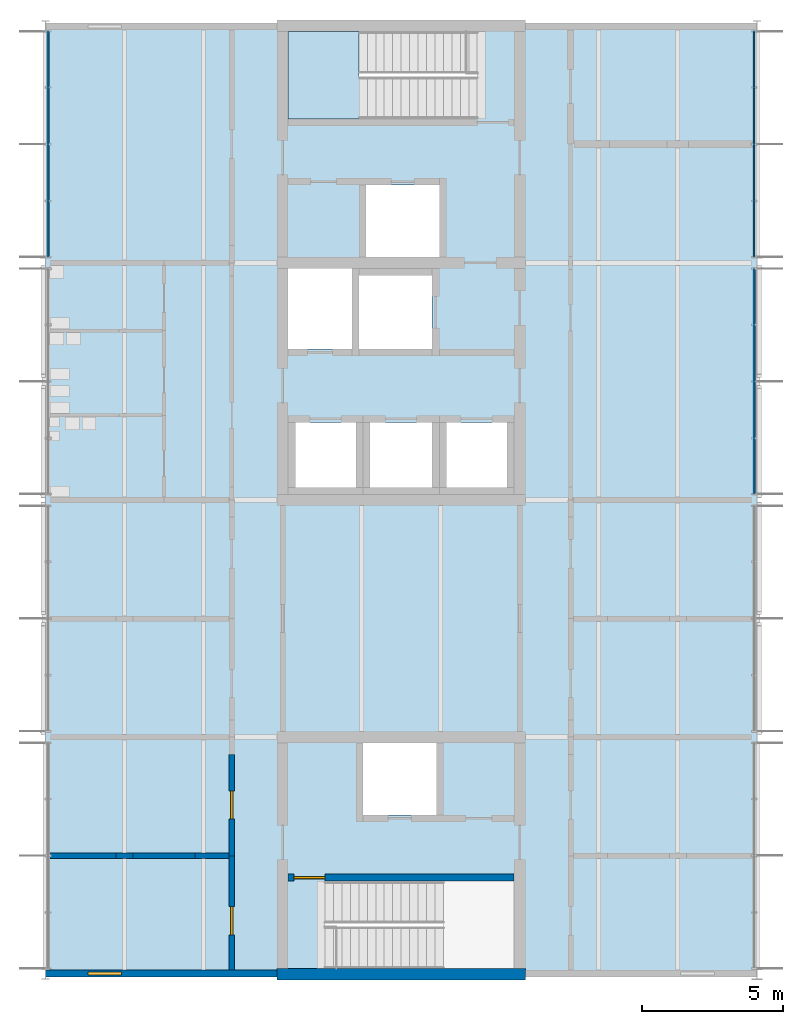
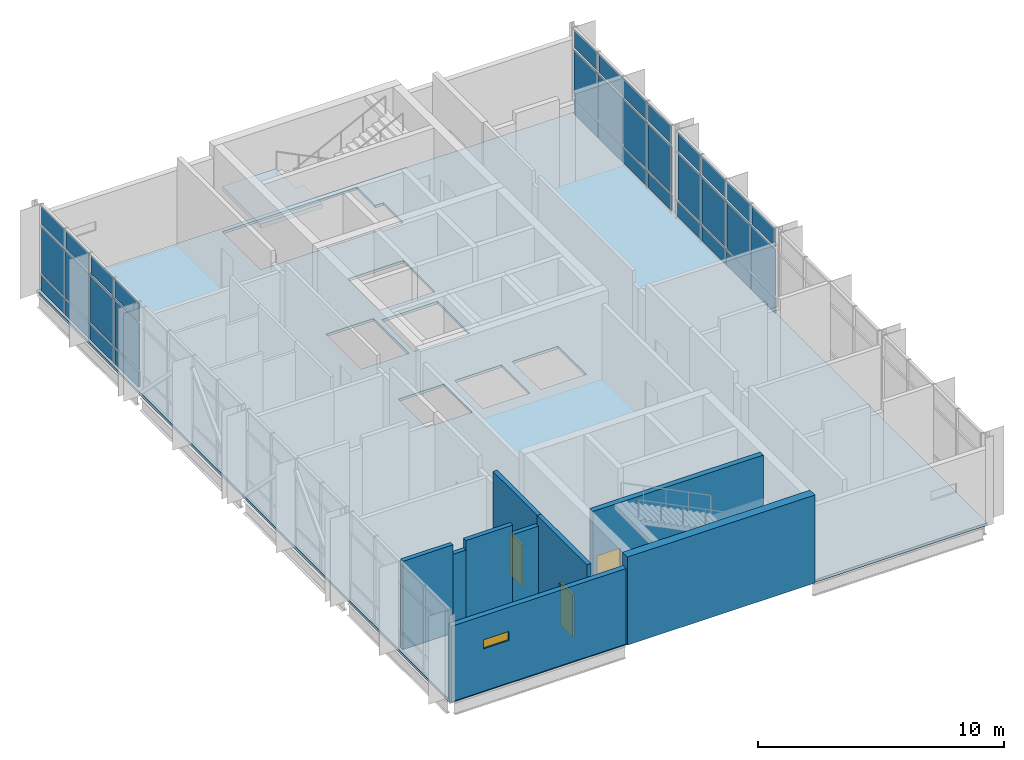
# One storey, part 7 of 15: 36 plates, 9 walls, 3 doors, 2 slabs, 1 window, 4 openings, 4 elements without a shape of their own.
"""IFC4 building model written with IfcOpenShell, lengths in metres."""

import ifcopenshell
import ifcopenshell.guid

model = None  # the IFC model being written
_history = None  # IfcOwnerHistory: only IFC2X3 demands one
_inside = {}  # id of a spatial element -> (the spatial element, [elements in it])
_under = {}  # id of a project, library or spatial element -> (it, [spatial elements below it])
_declared = {}  # id of a project -> (the project, [libraries it declares])
_typed = {}  # id of a type object -> (the type object, [elements of that type])
_made_of = {}  # id of a material, layer set ... -> (it, [elements and type objects made of it])


def new_model(schema):
    """Start an empty IFC model of exactly this schema.

    Asked for "IFC4X3", IfcOpenShell would pick the latest addendum, in which some entities
    have other attributes; the version numbers below select the first issue.
    IFC2X3 requires an IfcOwnerHistory on every rooted entity: one is made here for all.
    """
    global model, _history
    if schema == "IFC4X3":
        model = ifcopenshell.file(schema_version=(4, 3, 0, 0))
    else:
        model = ifcopenshell.file(schema=schema)
    _inside.clear()
    _under.clear()
    _declared.clear()
    _typed.clear()
    _made_of.clear()
    _history = None
    if model.schema == "IFC2X3":
        org = make("IfcOrganization", Name="unknown")
        user = make(
            "IfcPersonAndOrganization",
            ThePerson=make("IfcPerson", FamilyName="unknown"),
            TheOrganization=org,
        )
        app = make(
            "IfcApplication",
            ApplicationDeveloper=org,
            Version="unknown",
            ApplicationFullName="unknown",
            ApplicationIdentifier="unknown",
        )
        _history = make(
            "IfcOwnerHistory",
            OwningUser=user,
            OwningApplication=app,
            ChangeAction="ADDED",
            CreationDate=0,
        )
    return model


def make(cls, **values):
    """One entity of the class cls with the attributes given. An attribute that is None is left unset."""
    return model.create_entity(
        cls, **{name: value for name, value in values.items() if value is not None}
    )


def rooted(cls, **values):
    """An entity with a GlobalId (a new one), such as an element, a storey or a relation."""
    return make(cls, GlobalId=ifcopenshell.guid.new(), OwnerHistory=_history, **values)


def si_unit(unit_type, name, prefix=None):
    """IfcSIUnit, for example si_unit("LENGTHUNIT", "METRE", prefix="MILLI")."""
    return make("IfcSIUnit", UnitType=unit_type, Prefix=prefix, Name=name)


def assignment(units):
    """IfcUnitAssignment: the units of a project."""
    return None if units is None else make("IfcUnitAssignment", Units=units)


def point(xyz):
    """IfcCartesianPoint."""
    return None if xyz is None else make("IfcCartesianPoint", Coordinates=xyz)


def direction(xyz):
    """IfcDirection."""
    return None if xyz is None else make("IfcDirection", DirectionRatios=xyz)


def frame(location, z_axis=None, x_axis=None):
    """IfcAxis2Placement3D, a coordinate frame: its origin and axes. An axis left out is left unset."""
    return make(
        "IfcAxis2Placement3D",
        Location=point(location),
        Axis=direction(z_axis),
        RefDirection=direction(x_axis),
    )


def frame_2d(location, x_axis=None):
    """IfcAxis2Placement2D, a coordinate frame in the plane: its origin and x axis."""
    return make(
        "IfcAxis2Placement2D", Location=point(location), RefDirection=direction(x_axis)
    )


def origin():
    """The frame at (0, 0, 0) with its axes left unset."""
    return frame((0.0, 0.0, 0.0))


def origin_2d():
    """The frame at (0, 0) in the plane with its x axis left unset."""
    return frame_2d((0.0, 0.0))


def place(relative_to, where):
    """IfcLocalPlacement: puts the frame where relative to a parent placement (None: the world)."""
    return make(
        "IfcLocalPlacement", PlacementRelTo=relative_to, RelativePlacement=where
    )


def context(
    kind, dimensions, precision=None, world=None, true_north=None, identifier=None
):
    """IfcGeometricRepresentationContext, for example the 3D "Model" context."""
    return make(
        "IfcGeometricRepresentationContext",
        ContextIdentifier=identifier,
        ContextType=kind,
        CoordinateSpaceDimension=dimensions,
        Precision=precision,
        WorldCoordinateSystem=world,
        TrueNorth=true_north,
    )


def subcontext(parent, identifier, kind, view, scale=None):
    """IfcGeometricRepresentationSubContext, for example "Body" below "Model"."""
    return make(
        "IfcGeometricRepresentationSubContext",
        ContextIdentifier=identifier,
        ContextType=kind,
        ParentContext=parent,
        TargetScale=scale,
        TargetView=view,
    )


def project(units=None, contexts=None):
    """IfcProject with its units and contexts."""
    return rooted(
        "IfcProject",
        Name="project",
        RepresentationContexts=contexts,
        UnitsInContext=assignment(units),
    )


def spatial(cls, under=None, at=None, **own):
    """A site, building, storey or space (cls), placed at a placement, below another one or the project."""
    s = rooted(cls, ObjectPlacement=at, **own)
    if under is not None:
        _under.setdefault(under.id(), (under, []))[1].append(s)
    return s


def polyline(points):
    """IfcPolyline through the points."""
    return make("IfcPolyline", Points=[point(p) for p in points])


def profile(cls, at=None, kind="AREA", **sizes):
    """A parametric profile (cls). Its sizes go by their IFC names, for example OverallWidth=200.0."""
    return make(cls, ProfileType=kind, Position=at, **sizes)


def rectangle(**sizes):
    """IfcRectangleProfileDef."""
    return profile("IfcRectangleProfileDef", **sizes)


def outline(outer, holes=None, kind="AREA"):
    """IfcArbitraryClosedProfileDef: a profile drawn as a closed curve; with holes, ...WithVoids."""
    if holes is None:
        return make("IfcArbitraryClosedProfileDef", ProfileType=kind, OuterCurve=outer)
    return make(
        "IfcArbitraryProfileDefWithVoids",
        ProfileType=kind,
        OuterCurve=outer,
        InnerCurves=holes,
    )


def extrude(swept, where, along, depth):
    """IfcExtrudedAreaSolid: the profile swept, set in the frame where, extruded along a direction by depth."""
    return make(
        "IfcExtrudedAreaSolid",
        SweptArea=swept,
        Position=where,
        ExtrudedDirection=direction(along),
        Depth=depth,
    )


def shape(context_of_items, identifier, shape_type, items):
    """IfcShapeRepresentation: the items that make up one representation, for example the "Body"."""
    return make(
        "IfcShapeRepresentation",
        ContextOfItems=context_of_items,
        RepresentationIdentifier=identifier,
        RepresentationType=shape_type,
        Items=items,
    )


def material(Name=None, Category=None):
    """IfcMaterial."""
    return make("IfcMaterial", Name=Name, Category=Category)


def layer(
    of_material, thickness, ventilated=None, Name=None, Category=None, Priority=None
):
    """IfcMaterialLayer: one layer of a wall or slab, of a material (None: an air gap)."""
    return make(
        "IfcMaterialLayer",
        Material=of_material,
        LayerThickness=thickness,
        IsVentilated=ventilated,
        Name=Name,
        Category=Category,
        Priority=Priority,
    )


def layer_set(layers, Name=None):
    """IfcMaterialLayerSet."""
    return make("IfcMaterialLayerSet", MaterialLayers=layers, LayerSetName=Name)


def made_of(thing, what):
    """Note that an element or type object is made of a material, layer set ...; save() writes the relation."""
    if what is not None:
        _made_of.setdefault(what.id(), (what, []))[1].append(thing)
    return thing


def type_object(cls, material=None, **own):
    """A type object (cls), such as IfcWallType, which elements share."""
    return made_of(rooted(cls, **own), material)


def element(
    cls,
    number,
    at=None,
    inside=None,
    cuts=None,
    type_object=None,
    material=None,
    context=None,
    identifier="Body",
    shape_type=None,
    held_by="IfcProductDefinitionShape",
    body=None,
    shapes=None,
    **own,
):
    """One element of the class cls, such as IfcWall. Its Tag is "e" and its number.

    at: its placement. inside: the storey or other place that contains it. cuts: it is an
    opening in that element (IfcRelVoidsElement). A single representation is given by context,
    identifier, shape_type and body (its items); several are given by shapes. held_by: the class
    of the entity that holds the representations. save() writes the other relations.
    """
    e = rooted(cls, Tag="e%d" % number, ObjectPlacement=at, **own)
    if body is not None:
        shapes = [shape(context, identifier, shape_type, body)]
    if shapes is not None:
        e.Representation = make(held_by, Representations=shapes)
    if inside is not None:
        _inside.setdefault(inside.id(), (inside, []))[1].append(e)
    if cuts is not None:
        rooted(
            "IfcRelVoidsElement", RelatingBuildingElement=cuts, RelatedOpeningElement=e
        )
    if type_object is not None:
        _typed.setdefault(type_object.id(), (type_object, []))[1].append(e)
    return made_of(e, material)


def fill(opening, filler):
    """IfcRelFillsElement: the door or window that sits in an opening."""
    return rooted(
        "IfcRelFillsElement",
        RelatingOpeningElement=opening,
        RelatedBuildingElement=filler,
    )


def aggregate(whole, parts):
    """IfcRelAggregates: a whole, such as a stair, and the parts it consists of."""
    return rooted("IfcRelAggregates", RelatingObject=whole, RelatedObjects=parts)


def save(model, path):
    """Write the relations noted so far, then the file.

    IfcRelAggregates (storeys below a building ...), IfcRelContainedInSpatialStructure (elements
    in a storey), IfcRelDefinesByType, IfcRelAssociatesMaterial and IfcRelDeclares: one each for
    every whole, place, type object, material and project.
    """
    for whole, parts in _under.values():
        aggregate(whole, parts)
    for where, things in _inside.values():
        rooted(
            "IfcRelContainedInSpatialStructure",
            RelatedElements=things,
            RelatingStructure=where,
        )
    for kind, things in _typed.values():
        rooted("IfcRelDefinesByType", RelatedObjects=things, RelatingType=kind)
    for what, things in _made_of.values():
        rooted("IfcRelAssociatesMaterial", RelatedObjects=things, RelatingMaterial=what)
    for by, libraries in _declared.values():
        rooted("IfcRelDeclares", RelatingContext=by, RelatedDefinitions=libraries)
    model.write(path)


model = new_model("IFC4")

# Units and contexts
model_context = context("Model", 3, precision=1e-05, world=origin(), true_north=direction((0.0, 1.0)))
body_context = subcontext(model_context, "Body", "Model", "MODEL_VIEW")
ifc_project = project(units=[si_unit("LENGTHUNIT", "METRE"), si_unit("AREAUNIT", "SQUARE_METRE"), si_unit("VOLUMEUNIT", "CUBIC_METRE"), si_unit("PLANEANGLEUNIT", "RADIAN"), si_unit("MASSUNIT", "GRAM", prefix="KILO")], contexts=[model_context])

# Site, building, storey
site_placement = place(None, origin())
site = spatial("IfcSite", under=ifc_project, at=site_placement, CompositionType="ELEMENT")
building_placement = place(site_placement, origin())
building = spatial("IfcBuilding", under=site, at=building_placement, Name="Hlaing Beacon Police Headquarters", CompositionType="ELEMENT")
storey_placement = place(building_placement, frame((0.0, 0.0, 32.39990234375)))
storey = spatial("IfcBuildingStorey", under=building, at=storey_placement, Name="L07", CompositionType="ELEMENT", Elevation=32.39990234375)

# Curtain wall, plates
ifc_material_1 = material(Name="Aluminium frame with solar control glazing", Category="aluminium")
curtain_wall_type = type_object("IfcCurtainWallType", Name="Unitised curtain wall 8.04 x 4.37", PredefinedType="NOTDEFINED", material=ifc_material_1)
curtain_wall_1_placement = place(storey_placement, origin())
curtain_wall_1 = element("IfcCurtainWall", 1, at=curtain_wall_1_placement, inside=storey, type_object=curtain_wall_type, Name="ENV-CW-L07-E003", PredefinedType="NOTDEFINED")
ifc_material_2 = material(Name="Solar control glazing", Category="glass")
ifc_layer_1 = layer(ifc_material_2, 0.0439453125)
ifc_layer_set_1 = layer_set([ifc_layer_1], Name="Solar control glazing")
plate_type_1 = type_object("IfcPlateType", Name="Clear glazing panel 44", PredefinedType="CURTAIN_PANEL", material=ifc_layer_set_1)
plate_1_placement = place(storey_placement, frame((125.909912109375, 53.594970703125, 0.9501953125), z_axis=(0.0, 0.0, 1.0), x_axis=(0.0, 1.0, 0.0)))
plate_1 = element("IfcPlate", 2, at=plate_1_placement, type_object=plate_type_1, Name="CW-L07-E003 panel 2.2", PredefinedType="CURTAIN_PANEL", context=body_context, shape_type="SweptSolid", body=[
    extrude(rectangle(XDim=1.949951171875, YDim=0.0439453125, at=origin_2d()), origin(), (0.0, 0.0, 1.0), 2.300048828125),
])
plate_2_placement = place(storey_placement, frame((125.909912109375, 57.599853515625, 0.9501953125), z_axis=(0.0, 0.0, 1.0), x_axis=(0.0, 1.0, 0.0)))
plate_2 = element("IfcPlate", 3, at=plate_2_placement, type_object=plate_type_1, Name="CW-L07-E003 panel 4.2", PredefinedType="CURTAIN_PANEL", context=body_context, shape_type="SweptSolid", body=[
    extrude(rectangle(XDim=1.919921875, YDim=0.0439453125, at=origin_2d()), origin(), (0.0, 0.0, 1.0), 2.300048828125),
])

curtain_wall_2_placement = place(storey_placement, origin())
curtain_wall_2 = element("IfcCurtainWall", 4, at=curtain_wall_2_placement, inside=storey, type_object=curtain_wall_type, Name="ENV-CW-L07-E004", PredefinedType="NOTDEFINED")
plate_3_placement = place(storey_placement, frame((125.89990234375, 61.9951171875, 0.9501953125), z_axis=(0.0, 0.0, 1.0), x_axis=(0.0, 1.0, 0.0)))
plate_3 = element("IfcPlate", 5, at=plate_3_placement, type_object=plate_type_1, Name="CW-L07-E004 panel 2.2", PredefinedType="CURTAIN_PANEL", context=body_context, shape_type="SweptSolid", body=[
    extrude(rectangle(XDim=1.949951171875, YDim=0.0439453125, at=origin_2d()), origin(), (0.0, 0.0, 1.0), 2.300048828125),
])
plate_4_placement = place(storey_placement, frame((125.89990234375, 65.999755859375, 0.9501953125), z_axis=(0.0, 0.0, 1.0), x_axis=(0.0, 1.0, 0.0)))
plate_4 = element("IfcPlate", 6, at=plate_4_placement, type_object=plate_type_1, Name="CW-L07-E004 panel 4.2", PredefinedType="CURTAIN_PANEL", context=body_context, shape_type="SweptSolid", body=[
    extrude(rectangle(XDim=1.919921875, YDim=0.0439453125, at=origin_2d()), origin(), (0.0, 0.0, 1.0), 2.300048828125),
])

curtain_wall_3_placement = place(storey_placement, origin())
curtain_wall_3 = element("IfcCurtainWall", 7, at=curtain_wall_3_placement, inside=storey, type_object=curtain_wall_type, Name="ENV-CW-L07-W005", PredefinedType="NOTDEFINED")
plate_5_placement = place(storey_placement, frame((100.89990234375, 64.0048828125, 0.9501953125), z_axis=(0.0, 0.0, 1.0), x_axis=(0.0, -1.0, 0.0)))
plate_5 = element("IfcPlate", 8, at=plate_5_placement, type_object=plate_type_1, Name="CW-L07-W005 panel 2.2", PredefinedType="CURTAIN_PANEL", context=body_context, shape_type="SweptSolid", body=[
    extrude(rectangle(XDim=1.949951171875, YDim=0.0439453125, at=origin_2d()), origin(), (0.0, 0.0, 1.0), 2.300048828125),
])
plate_6_placement = place(storey_placement, frame((100.89990234375, 60.000244140625, 0.9501953125), z_axis=(0.0, 0.0, 1.0), x_axis=(0.0, -1.0, 0.0)))
plate_6 = element("IfcPlate", 9, at=plate_6_placement, type_object=plate_type_1, Name="CW-L07-W005 panel 4.2", PredefinedType="CURTAIN_PANEL", context=body_context, shape_type="SweptSolid", body=[
    extrude(rectangle(XDim=1.919921875, YDim=0.0439453125, at=origin_2d()), origin(), (0.0, 0.0, 1.0), 2.300048828125),
])

# Slab
ifc_material_3 = material(Name="Concrete C40/50", Category="concrete")
ifc_layer_2 = layer(ifc_material_3, 0.1298828125)
ifc_layer_set_2 = layer_set([ifc_layer_2], Name="Concrete C40/50")
slab_type_1 = type_object("IfcSlabType", Name="Composite deck slab 130", PredefinedType="FLOOR", material=ifc_layer_set_2)
slab_1_placement = place(storey_placement, frame((0.0, 0.0, -0.1298828125)))
element("IfcSlab", 10, at=slab_1_placement, inside=storey, type_object=slab_type_1, Name="STR-SLAB-L07-01", PredefinedType="FLOOR", context=body_context, shape_type="SweptSolid", body=[
    extrude(outline(polyline([(100.800048828125, 33.60009765625), (126.0, 33.60009765625), (126.0, 67.199951171875), (100.800048828125, 67.199951171875), (100.800048828125, 33.60009765625)]), holes=[polyline([(109.39990234375, 55.75), (111.64990234375, 55.75), (111.64990234375, 58.60009765625), (109.39990234375, 58.60009765625), (109.39990234375, 55.75)]), polyline([(109.39990234375, 63.89990234375), (116.090087890625, 63.89990234375), (116.090087890625, 65.5), (115.699951171875, 65.5), (115.699951171875, 67.0), (109.39990234375, 67.0), (109.39990234375, 63.89990234375)]), polyline([(109.64990234375, 50.85009765625), (111.800048828125, 50.85009765625), (111.800048828125, 53.14990234375), (109.64990234375, 53.14990234375), (109.64990234375, 50.85009765625)]), polyline([(111.10009765625, 33.800048828125), (117.39990234375, 33.800048828125), (117.39990234375, 36.89990234375), (110.7099609375, 36.89990234375), (110.7099609375, 35.300048828125), (111.10009765625, 35.300048828125), (111.10009765625, 33.800048828125)]), polyline([(111.89990234375, 55.75), (114.5, 55.75), (114.5, 58.35009765625), (111.89990234375, 58.35009765625), (111.89990234375, 55.75)]), polyline([(112.050048828125, 39.25), (114.64990234375, 39.25), (114.64990234375, 41.800048828125), (112.050048828125, 41.800048828125), (112.050048828125, 39.25)]), polyline([(112.14990234375, 59.0), (114.75, 59.0), (114.75, 61.550048828125), (112.14990234375, 61.550048828125), (112.14990234375, 59.0)]), polyline([(112.300048828125, 50.85009765625), (114.5, 50.85009765625), (114.5, 53.14990234375), (112.300048828125, 53.14990234375), (112.300048828125, 50.85009765625)]), polyline([(115.0, 50.85009765625), (117.14990234375, 50.85009765625), (117.14990234375, 53.14990234375), (115.0, 53.14990234375), (115.0, 50.85009765625)])]), origin(), (0.0, 0.0, 1.0), 0.1298828125),
])

# Plate
ifc_material_4 = material(Name="Fritted solar control glazing", Category="glass")
ifc_layer_3 = layer(ifc_material_4, 0.0439453125)
ifc_layer_set_3 = layer_set([ifc_layer_3], Name="Fritted solar control glazing")
plate_type_2 = type_object("IfcPlateType", Name="Fritted glazing panel 44", PredefinedType="CURTAIN_PANEL", material=ifc_layer_set_3)
plate_7_placement = place(storey_placement, frame((125.909912109375, 51.600341796875, 0.9501953125), z_axis=(0.0, 0.0, 1.0), x_axis=(0.0, 1.0, 0.0)))
plate_7 = element("IfcPlate", 11, at=plate_7_placement, type_object=plate_type_2, Name="CW-L07-E003 panel 1.2", PredefinedType="CURTAIN_PANEL", context=body_context, shape_type="SweptSolid", body=[
    extrude(rectangle(XDim=1.919921875, YDim=0.0439453125, at=origin_2d()), origin(), (0.0, 0.0, 1.0), 2.300048828125),
])

plate_8_placement = place(storey_placement, frame((125.909912109375, 55.60498046875, 0.9501953125), z_axis=(0.0, 0.0, 1.0), x_axis=(0.0, 1.0, 0.0)))
plate_8 = element("IfcPlate", 12, at=plate_8_placement, type_object=plate_type_2, Name="CW-L07-E003 panel 3.2", PredefinedType="CURTAIN_PANEL", context=body_context, shape_type="SweptSolid", body=[
    extrude(rectangle(XDim=1.949951171875, YDim=0.0439453125, at=origin_2d()), origin(), (0.0, 0.0, 1.0), 2.300048828125),
])

plate_9_placement = place(storey_placement, frame((125.89990234375, 60.000244140625, 0.9501953125), z_axis=(0.0, 0.0, 1.0), x_axis=(0.0, 1.0, 0.0)))
plate_9 = element("IfcPlate", 13, at=plate_9_placement, type_object=plate_type_2, Name="CW-L07-E004 panel 1.2", PredefinedType="CURTAIN_PANEL", context=body_context, shape_type="SweptSolid", body=[
    extrude(rectangle(XDim=1.919921875, YDim=0.0439453125, at=origin_2d()), origin(), (0.0, 0.0, 1.0), 2.300048828125),
])

plate_10_placement = place(storey_placement, frame((125.89990234375, 64.0048828125, 0.9501953125), z_axis=(0.0, 0.0, 1.0), x_axis=(0.0, 1.0, 0.0)))
plate_10 = element("IfcPlate", 14, at=plate_10_placement, type_object=plate_type_2, Name="CW-L07-E004 panel 3.2", PredefinedType="CURTAIN_PANEL", context=body_context, shape_type="SweptSolid", body=[
    extrude(rectangle(XDim=1.949951171875, YDim=0.0439453125, at=origin_2d()), origin(), (0.0, 0.0, 1.0), 2.300048828125),
])

plate_11_placement = place(storey_placement, frame((100.89990234375, 65.999755859375, 0.9501953125), z_axis=(0.0, 0.0, 1.0), x_axis=(0.0, -1.0, 0.0)))
plate_11 = element("IfcPlate", 15, at=plate_11_placement, type_object=plate_type_2, Name="CW-L07-W005 panel 1.2", PredefinedType="CURTAIN_PANEL", context=body_context, shape_type="SweptSolid", body=[
    extrude(rectangle(XDim=1.919921875, YDim=0.0439453125, at=origin_2d()), origin(), (0.0, 0.0, 1.0), 2.300048828125),
])

plate_12_placement = place(storey_placement, frame((100.89990234375, 61.9951171875, 0.9501953125), z_axis=(0.0, 0.0, 1.0), x_axis=(0.0, -1.0, 0.0)))
plate_12 = element("IfcPlate", 16, at=plate_12_placement, type_object=plate_type_2, Name="CW-L07-W005 panel 3.2", PredefinedType="CURTAIN_PANEL", context=body_context, shape_type="SweptSolid", body=[
    extrude(rectangle(XDim=1.949951171875, YDim=0.0439453125, at=origin_2d()), origin(), (0.0, 0.0, 1.0), 2.300048828125),
])

ifc_material_5 = material(Name="Insulated aluminium spandrel", Category="aluminium")
ifc_layer_4 = layer(ifc_material_5, 0.06005859375)
ifc_layer_set_4 = layer_set([ifc_layer_4], Name="Insulated aluminium spandrel")
plate_type_3 = type_object("IfcPlateType", Name="Insulated spandrel panel 60", PredefinedType="CURTAIN_PANEL", material=ifc_layer_set_4)
plate_13_placement = place(storey_placement, frame((125.909912109375, 51.600341796875, 0.10009765625), z_axis=(0.0, 0.0, 1.0), x_axis=(0.0, 1.0, 0.0)))
plate_13 = element("IfcPlate", 17, at=plate_13_placement, type_object=plate_type_3, Name="CW-L07-E003 panel 1.1", PredefinedType="CURTAIN_PANEL", context=body_context, shape_type="SweptSolid", body=[
    extrude(rectangle(XDim=1.919921875, YDim=0.06005859375, at=origin_2d()), origin(), (0.0, 0.0, 1.0), 0.75),
])

plate_14_placement = place(storey_placement, frame((125.909912109375, 53.594970703125, 0.10009765625), z_axis=(0.0, 0.0, 1.0), x_axis=(0.0, 1.0, 0.0)))
plate_14 = element("IfcPlate", 18, at=plate_14_placement, type_object=plate_type_3, Name="CW-L07-E003 panel 2.1", PredefinedType="CURTAIN_PANEL", context=body_context, shape_type="SweptSolid", body=[
    extrude(rectangle(XDim=1.949951171875, YDim=0.06005859375, at=origin_2d()), origin(), (0.0, 0.0, 1.0), 0.75),
])

plate_15_placement = place(storey_placement, frame((125.909912109375, 55.60498046875, 0.10009765625), z_axis=(0.0, 0.0, 1.0), x_axis=(0.0, 1.0, 0.0)))
plate_15 = element("IfcPlate", 19, at=plate_15_placement, type_object=plate_type_3, Name="CW-L07-E003 panel 3.1", PredefinedType="CURTAIN_PANEL", context=body_context, shape_type="SweptSolid", body=[
    extrude(rectangle(XDim=1.949951171875, YDim=0.06005859375, at=origin_2d()), origin(), (0.0, 0.0, 1.0), 0.75),
])

plate_16_placement = place(storey_placement, frame((125.909912109375, 57.599853515625, 0.10009765625), z_axis=(0.0, 0.0, 1.0), x_axis=(0.0, 1.0, 0.0)))
plate_16 = element("IfcPlate", 20, at=plate_16_placement, type_object=plate_type_3, Name="CW-L07-E003 panel 4.1", PredefinedType="CURTAIN_PANEL", context=body_context, shape_type="SweptSolid", body=[
    extrude(rectangle(XDim=1.919921875, YDim=0.06005859375, at=origin_2d()), origin(), (0.0, 0.0, 1.0), 0.75),
])

plate_17_placement = place(storey_placement, frame((125.89990234375, 60.000244140625, 0.10009765625), z_axis=(0.0, 0.0, 1.0), x_axis=(0.0, 1.0, 0.0)))
plate_17 = element("IfcPlate", 21, at=plate_17_placement, type_object=plate_type_3, Name="CW-L07-E004 panel 1.1", PredefinedType="CURTAIN_PANEL", context=body_context, shape_type="SweptSolid", body=[
    extrude(rectangle(XDim=1.919921875, YDim=0.06005859375, at=origin_2d()), origin(), (0.0, 0.0, 1.0), 0.75),
])

plate_18_placement = place(storey_placement, frame((125.89990234375, 61.9951171875, 0.10009765625), z_axis=(0.0, 0.0, 1.0), x_axis=(0.0, 1.0, 0.0)))
plate_18 = element("IfcPlate", 22, at=plate_18_placement, type_object=plate_type_3, Name="CW-L07-E004 panel 2.1", PredefinedType="CURTAIN_PANEL", context=body_context, shape_type="SweptSolid", body=[
    extrude(rectangle(XDim=1.949951171875, YDim=0.06005859375, at=origin_2d()), origin(), (0.0, 0.0, 1.0), 0.75),
])

plate_19_placement = place(storey_placement, frame((125.89990234375, 64.0048828125, 0.10009765625), z_axis=(0.0, 0.0, 1.0), x_axis=(0.0, 1.0, 0.0)))
plate_19 = element("IfcPlate", 23, at=plate_19_placement, type_object=plate_type_3, Name="CW-L07-E004 panel 3.1", PredefinedType="CURTAIN_PANEL", context=body_context, shape_type="SweptSolid", body=[
    extrude(rectangle(XDim=1.949951171875, YDim=0.06005859375, at=origin_2d()), origin(), (0.0, 0.0, 1.0), 0.75),
])

plate_20_placement = place(storey_placement, frame((125.89990234375, 65.999755859375, 0.10009765625), z_axis=(0.0, 0.0, 1.0), x_axis=(0.0, 1.0, 0.0)))
plate_20 = element("IfcPlate", 24, at=plate_20_placement, type_object=plate_type_3, Name="CW-L07-E004 panel 4.1", PredefinedType="CURTAIN_PANEL", context=body_context, shape_type="SweptSolid", body=[
    extrude(rectangle(XDim=1.919921875, YDim=0.06005859375, at=origin_2d()), origin(), (0.0, 0.0, 1.0), 0.75),
])

ifc_material_6 = material(Name="Insulated aluminium spandrel", Category="aluminium")
ifc_layer_5 = layer(ifc_material_6, 0.080078125)
ifc_layer_set_5 = layer_set([ifc_layer_5], Name="Insulated aluminium spandrel")
plate_type_4 = type_object("IfcPlateType", Name="Insulated spandrel panel 80", PredefinedType="CURTAIN_PANEL", material=ifc_layer_set_5)
plate_21_placement = place(storey_placement, frame((100.89990234375, 65.999755859375, 0.10009765625), z_axis=(0.0, 0.0, 1.0), x_axis=(0.0, -1.0, 0.0)))
plate_21 = element("IfcPlate", 25, at=plate_21_placement, type_object=plate_type_4, Name="CW-L07-W005 panel 1.1", PredefinedType="CURTAIN_PANEL", context=body_context, shape_type="SweptSolid", body=[
    extrude(rectangle(XDim=1.919921875, YDim=0.080078125, at=origin_2d()), origin(), (0.0, 0.0, 1.0), 0.75),
])

plate_22_placement = place(storey_placement, frame((100.89990234375, 64.0048828125, 0.10009765625), z_axis=(0.0, 0.0, 1.0), x_axis=(0.0, -1.0, 0.0)))
plate_22 = element("IfcPlate", 26, at=plate_22_placement, type_object=plate_type_4, Name="CW-L07-W005 panel 2.1", PredefinedType="CURTAIN_PANEL", context=body_context, shape_type="SweptSolid", body=[
    extrude(rectangle(XDim=1.949951171875, YDim=0.080078125, at=origin_2d()), origin(), (0.0, 0.0, 1.0), 0.75),
])

plate_23_placement = place(storey_placement, frame((100.89990234375, 61.9951171875, 0.10009765625), z_axis=(0.0, 0.0, 1.0), x_axis=(0.0, -1.0, 0.0)))
plate_23 = element("IfcPlate", 27, at=plate_23_placement, type_object=plate_type_4, Name="CW-L07-W005 panel 3.1", PredefinedType="CURTAIN_PANEL", context=body_context, shape_type="SweptSolid", body=[
    extrude(rectangle(XDim=1.949951171875, YDim=0.080078125, at=origin_2d()), origin(), (0.0, 0.0, 1.0), 0.75),
])

plate_24_placement = place(storey_placement, frame((100.89990234375, 60.000244140625, 0.10009765625), z_axis=(0.0, 0.0, 1.0), x_axis=(0.0, -1.0, 0.0)))
plate_24 = element("IfcPlate", 28, at=plate_24_placement, type_object=plate_type_4, Name="CW-L07-W005 panel 4.1", PredefinedType="CURTAIN_PANEL", context=body_context, shape_type="SweptSolid", body=[
    extrude(rectangle(XDim=1.919921875, YDim=0.080078125, at=origin_2d()), origin(), (0.0, 0.0, 1.0), 0.75),
])

ifc_material_7 = material(Name="Perforated aluminium", Category="aluminium")
ifc_layer_6 = layer(ifc_material_7, 0.00390625)
ifc_layer_set_6 = layer_set([ifc_layer_6], Name="Perforated aluminium")
plate_type_5 = type_object("IfcPlateType", Name="Perforated aluminium vent panel 4", PredefinedType="CURTAIN_PANEL", material=ifc_layer_set_6)
plate_25_placement = place(storey_placement, frame((125.909912109375, 51.600341796875, 3.35009765625), z_axis=(0.0, 0.0, 1.0), x_axis=(0.0, 1.0, 0.0)))
plate_25 = element("IfcPlate", 29, at=plate_25_placement, type_object=plate_type_5, Name="CW-L07-E003 panel 1.3", PredefinedType="CURTAIN_PANEL", context=body_context, shape_type="SweptSolid", body=[
    extrude(rectangle(XDim=1.919921875, YDim=0.00390625, at=origin_2d()), origin(), (0.0, 0.0, 1.0), 0.919921875),
])

plate_26_placement = place(storey_placement, frame((125.909912109375, 53.594970703125, 3.35009765625), z_axis=(0.0, 0.0, 1.0), x_axis=(0.0, 1.0, 0.0)))
plate_26 = element("IfcPlate", 30, at=plate_26_placement, type_object=plate_type_5, Name="CW-L07-E003 panel 2.3", PredefinedType="CURTAIN_PANEL", context=body_context, shape_type="SweptSolid", body=[
    extrude(rectangle(XDim=1.949951171875, YDim=0.00390625, at=origin_2d()), origin(), (0.0, 0.0, 1.0), 0.919921875),
])

plate_27_placement = place(storey_placement, frame((125.909912109375, 55.60498046875, 3.35009765625), z_axis=(0.0, 0.0, 1.0), x_axis=(0.0, 1.0, 0.0)))
plate_27 = element("IfcPlate", 31, at=plate_27_placement, type_object=plate_type_5, Name="CW-L07-E003 panel 3.3", PredefinedType="CURTAIN_PANEL", context=body_context, shape_type="SweptSolid", body=[
    extrude(rectangle(XDim=1.949951171875, YDim=0.00390625, at=origin_2d()), origin(), (0.0, 0.0, 1.0), 0.919921875),
])

plate_28_placement = place(storey_placement, frame((125.909912109375, 57.599853515625, 3.35009765625), z_axis=(0.0, 0.0, 1.0), x_axis=(0.0, 1.0, 0.0)))
plate_28 = element("IfcPlate", 32, at=plate_28_placement, type_object=plate_type_5, Name="CW-L07-E003 panel 4.3", PredefinedType="CURTAIN_PANEL", context=body_context, shape_type="SweptSolid", body=[
    extrude(rectangle(XDim=1.919921875, YDim=0.00390625, at=origin_2d()), origin(), (0.0, 0.0, 1.0), 0.919921875),
])

aggregate(curtain_wall_1, [plate_13, plate_7, plate_25, plate_14, plate_1, plate_26, plate_15, plate_8, plate_27, plate_16, plate_2, plate_28])

plate_29_placement = place(storey_placement, frame((125.89990234375, 60.000244140625, 3.35009765625), z_axis=(0.0, 0.0, 1.0), x_axis=(0.0, 1.0, 0.0)))
plate_29 = element("IfcPlate", 33, at=plate_29_placement, type_object=plate_type_5, Name="CW-L07-E004 panel 1.3", PredefinedType="CURTAIN_PANEL", context=body_context, shape_type="SweptSolid", body=[
    extrude(rectangle(XDim=1.919921875, YDim=0.00390625, at=origin_2d()), origin(), (0.0, 0.0, 1.0), 0.919921875),
])

plate_30_placement = place(storey_placement, frame((125.89990234375, 61.9951171875, 3.35009765625), z_axis=(0.0, 0.0, 1.0), x_axis=(0.0, 1.0, 0.0)))
plate_30 = element("IfcPlate", 34, at=plate_30_placement, type_object=plate_type_5, Name="CW-L07-E004 panel 2.3", PredefinedType="CURTAIN_PANEL", context=body_context, shape_type="SweptSolid", body=[
    extrude(rectangle(XDim=1.949951171875, YDim=0.00390625, at=origin_2d()), origin(), (0.0, 0.0, 1.0), 0.919921875),
])

plate_31_placement = place(storey_placement, frame((125.89990234375, 64.0048828125, 3.35009765625), z_axis=(0.0, 0.0, 1.0), x_axis=(0.0, 1.0, 0.0)))
plate_31 = element("IfcPlate", 35, at=plate_31_placement, type_object=plate_type_5, Name="CW-L07-E004 panel 3.3", PredefinedType="CURTAIN_PANEL", context=body_context, shape_type="SweptSolid", body=[
    extrude(rectangle(XDim=1.949951171875, YDim=0.00390625, at=origin_2d()), origin(), (0.0, 0.0, 1.0), 0.919921875),
])

plate_32_placement = place(storey_placement, frame((125.89990234375, 65.999755859375, 3.35009765625), z_axis=(0.0, 0.0, 1.0), x_axis=(0.0, 1.0, 0.0)))
plate_32 = element("IfcPlate", 36, at=plate_32_placement, type_object=plate_type_5, Name="CW-L07-E004 panel 4.3", PredefinedType="CURTAIN_PANEL", context=body_context, shape_type="SweptSolid", body=[
    extrude(rectangle(XDim=1.919921875, YDim=0.00390625, at=origin_2d()), origin(), (0.0, 0.0, 1.0), 0.919921875),
])

aggregate(curtain_wall_2, [plate_17, plate_9, plate_29, plate_18, plate_3, plate_30, plate_19, plate_10, plate_31, plate_20, plate_4, plate_32])

plate_33_placement = place(storey_placement, frame((100.89990234375, 65.999755859375, 3.35009765625), z_axis=(0.0, 0.0, 1.0), x_axis=(0.0, -1.0, 0.0)))
plate_33 = element("IfcPlate", 37, at=plate_33_placement, type_object=plate_type_5, Name="CW-L07-W005 panel 1.3", PredefinedType="CURTAIN_PANEL", context=body_context, shape_type="SweptSolid", body=[
    extrude(rectangle(XDim=1.919921875, YDim=0.00390625, at=origin_2d()), origin(), (0.0, 0.0, 1.0), 0.919921875),
])

plate_34_placement = place(storey_placement, frame((100.89990234375, 64.0048828125, 3.35009765625), z_axis=(0.0, 0.0, 1.0), x_axis=(0.0, -1.0, 0.0)))
plate_34 = element("IfcPlate", 38, at=plate_34_placement, type_object=plate_type_5, Name="CW-L07-W005 panel 2.3", PredefinedType="CURTAIN_PANEL", context=body_context, shape_type="SweptSolid", body=[
    extrude(rectangle(XDim=1.949951171875, YDim=0.00390625, at=origin_2d()), origin(), (0.0, 0.0, 1.0), 0.919921875),
])

plate_35_placement = place(storey_placement, frame((100.89990234375, 61.9951171875, 3.35009765625), z_axis=(0.0, 0.0, 1.0), x_axis=(0.0, -1.0, 0.0)))
plate_35 = element("IfcPlate", 39, at=plate_35_placement, type_object=plate_type_5, Name="CW-L07-W005 panel 3.3", PredefinedType="CURTAIN_PANEL", context=body_context, shape_type="SweptSolid", body=[
    extrude(rectangle(XDim=1.949951171875, YDim=0.00390625, at=origin_2d()), origin(), (0.0, 0.0, 1.0), 0.919921875),
])

plate_36_placement = place(storey_placement, frame((100.89990234375, 60.000244140625, 3.35009765625), z_axis=(0.0, 0.0, 1.0), x_axis=(0.0, -1.0, 0.0)))
plate_36 = element("IfcPlate", 40, at=plate_36_placement, type_object=plate_type_5, Name="CW-L07-W005 panel 4.3", PredefinedType="CURTAIN_PANEL", context=body_context, shape_type="SweptSolid", body=[
    extrude(rectangle(XDim=1.919921875, YDim=0.00390625, at=origin_2d()), origin(), (0.0, 0.0, 1.0), 0.919921875),
])

aggregate(curtain_wall_3, [plate_21, plate_11, plate_33, plate_22, plate_5, plate_34, plate_23, plate_12, plate_35, plate_24, plate_6, plate_36])

# Stair, slab
ifc_material_8 = material(Name="Concrete C40/50", Category="concrete")
stair_type = type_object("IfcStairType", Name="Half-turn stair 1500 wide, 4500 rise", PredefinedType="HALF_TURN_STAIR", material=ifc_material_8)
stair_placement = place(storey_placement, origin())
stair = element("IfcStair", 41, at=stair_placement, inside=storey, type_object=stair_type, Name="Stair ST-M", PredefinedType="HALF_TURN_STAIR")
ifc_material_9 = material(Name="Concrete C40/50", Category="concrete")
ifc_layer_7 = layer(ifc_material_9, 0.219970703125)
ifc_layer_set_7 = layer_set([ifc_layer_7], Name="Concrete C40/50")
slab_type_2 = type_object("IfcSlabType", Name="Stair landing 220", PredefinedType="LANDING", material=ifc_layer_set_7)
slab_2_placement = place(storey_placement, frame((0.0, 0.0, 2.030029296875)))
slab_2 = element("IfcSlab", 42, at=slab_2_placement, type_object=slab_type_2, Name="ST-M landing 1", PredefinedType="LANDING", context=body_context, shape_type="SweptSolid", body=[
    extrude(outline(polyline([(111.909912109375, 67.0), (109.39990234375, 67.0), (109.39990234375, 63.89990234375), (112.300048828125, 63.89990234375), (112.300048828125, 65.39990234375), (111.909912109375, 65.39990234375), (111.909912109375, 67.0)])), origin(), (0.0, 0.0, 1.0), 0.219970703125),
])
aggregate(stair, [slab_2])

# Wall
ifc_material_10 = material(Name="Concrete C60/75", Category="concrete")
ifc_layer_8 = layer(ifc_material_10, 0.39990234375)
ifc_layer_set_8 = layer_set([ifc_layer_8], Name="Concrete C60/75")
wall_type_1 = type_object("IfcWallType", Name="Core shear wall 400", PredefinedType="SHEAR", material=ifc_layer_set_8)
wall_1_placement = place(storey_placement, frame((109.0, 33.60009765625, 0.0), z_axis=(0.0, 0.0, 1.0), x_axis=(1.0, 0.0, 0.0)))
element("IfcWall", 43, at=wall_1_placement, inside=storey, type_object=wall_type_1, Name="Core shear wall", PredefinedType="SHEAR", context=body_context, shape_type="SweptSolid", body=[
    extrude(rectangle(XDim=8.800048828125, YDim=0.39990234375, at=frame_2d((4.39990234375, 0.0))), origin(), (0.0, 0.0, 1.0), 4.3701171875),
])

# Wall, opening, door
ifc_material_11 = material(Name="Concrete blockwork 7.5 N/mm2", Category="masonry")
ifc_layer_9 = layer(ifc_material_11, 0.199951171875)
ifc_layer_set_9 = layer_set([ifc_layer_9], Name="Concrete blockwork 7.5 N/mm2")
wall_type_2 = type_object("IfcWallType", Name="Custody wall EI 60 200", PredefinedType="PARTITIONING", material=ifc_layer_set_9)
wall_2_placement = place(storey_placement, frame((107.39990234375, 33.75, 0.0), z_axis=(0.0, 0.0, 1.0), x_axis=(0.0, 1.0, 0.0)))
wall_2 = element("IfcWall", 44, at=wall_2_placement, inside=storey, type_object=wall_type_2, Name="Custody wall EI 60 200", PredefinedType="PARTITIONING", context=body_context, shape_type="SweptSolid", body=[
    extrude(rectangle(XDim=4.050048828125, YDim=0.199951171875, at=frame_2d((2.02490234375, 0.0))), origin(), (0.0, 0.0, 1.0), 4.3701171875),
])
opening_1_placement = place(wall_2_placement, frame((1.25, 0.0, 0.0)))
opening_1 = element("IfcOpeningElement", 45, at=opening_1_placement, cuts=wall_2, Name="Opening L07-009", PredefinedType="OPENING", context=body_context, shape_type="SweptSolid", body=[
    extrude(rectangle(XDim=1.0, YDim=2.10009765625, at=frame_2d((0.5, 1.050048828125))), frame((0.0, 0.10986328125, 0.0), z_axis=(0.0, -1.0, 0.0), x_axis=(1.0, 0.0, 0.0)), (0.0, 0.0, 1.0), 0.219970703125),
])
ifc_material_12 = material(Name="Steel security door leaf", Category="steel")
ifc_layer_10 = layer(ifc_material_12, 0.090087890625)
ifc_layer_set_10 = layer_set([ifc_layer_10], Name="Steel security door leaf")
door_type_1 = type_object("IfcDoorType", Name="Steel security door FD60 1000x2100", OperationType="SINGLE_SWING_LEFT", PredefinedType="DOOR", material=ifc_layer_set_10)
door_1_placement = place(opening_1_placement, origin())
door_1 = element("IfcDoor", 46, at=door_1_placement, inside=storey, type_object=door_type_1, Name="Door Interview Room 1", OperationType="SINGLE_SWING_LEFT", OverallHeight=2.10009765625, OverallWidth=1.0, PredefinedType="DOOR", context=body_context, shape_type="SweptSolid", body=[
    extrude(rectangle(XDim=1.0, YDim=2.10009765625, at=frame_2d((0.5, 1.050048828125))), frame((0.0, 0.044921875, 0.0), z_axis=(0.0, -1.0, 0.0), x_axis=(1.0, 0.0, 0.0)), (0.0, 0.0, 1.0), 0.090087890625),
])
fill(opening_1, door_1)

wall_3_placement = place(storey_placement, frame((107.39990234375, 37.800048828125, 0.0), z_axis=(0.0, 0.0, 1.0), x_axis=(0.0, 1.0, 0.0)))
wall_3 = element("IfcWall", 47, at=wall_3_placement, inside=storey, type_object=wall_type_2, Name="Custody wall EI 60 200", PredefinedType="PARTITIONING", context=body_context, shape_type="SweptSolid", body=[
    extrude(rectangle(XDim=3.58984375, YDim=0.199951171875, at=frame_2d((1.794921875, 0.0))), origin(), (0.0, 0.0, 1.0), 4.3701171875),
])
opening_2_placement = place(wall_3_placement, frame((1.300048828125, 0.0, 0.0)))
opening_2 = element("IfcOpeningElement", 48, at=opening_2_placement, cuts=wall_3, Name="Opening L07-010", PredefinedType="OPENING", context=body_context, shape_type="SweptSolid", body=[
    extrude(rectangle(XDim=1.0, YDim=2.10009765625, at=frame_2d((0.5, 1.050048828125))), frame((0.0, 0.10986328125, 0.0), z_axis=(0.0, -1.0, 0.0), x_axis=(1.0, 0.0, 0.0)), (0.0, 0.0, 1.0), 0.219970703125),
])
door_2_placement = place(opening_2_placement, origin())
door_2 = element("IfcDoor", 49, at=door_2_placement, inside=storey, type_object=door_type_1, Name="Door Interview Room 2", OperationType="SINGLE_SWING_RIGHT", OverallHeight=2.10009765625, OverallWidth=1.0, PredefinedType="DOOR", context=body_context, shape_type="SweptSolid", body=[
    extrude(rectangle(XDim=1.0, YDim=2.10009765625, at=frame_2d((0.5, 1.050048828125))), frame((0.0, 0.044921875, 0.0), z_axis=(0.0, -1.0, 0.0), x_axis=(1.0, 0.0, 0.0)), (0.0, 0.0, 1.0), 0.090087890625),
])
fill(opening_2, door_2)

# Walls
wall_4_placement = place(storey_placement, frame((100.949951171875, 37.800048828125, 0.0), z_axis=(0.0, 0.0, 1.0), x_axis=(1.0, 0.0, 0.0)))
element("IfcWall", 50, at=wall_4_placement, inside=storey, type_object=wall_type_2, Name="Custody wall EI 60 200", PredefinedType="PARTITIONING", context=body_context, shape_type="SweptSolid", body=[
    extrude(rectangle(XDim=2.344970703125, YDim=0.199951171875, at=frame_2d((1.17236328125, 0.0))), origin(), (0.0, 0.0, 1.0), 4.3701171875),
])
wall_5_placement = place(storey_placement, frame((103.294921875, 37.800048828125, 0.0), z_axis=(0.0, 0.0, 1.0), x_axis=(1.0, 0.0, 0.0)))
element("IfcWall", 51, at=wall_5_placement, inside=storey, type_object=wall_type_2, Name="Custody wall EI 60 200", PredefinedType="PARTITIONING", context=body_context, shape_type="SweptSolid", body=[
    extrude(rectangle(XDim=0.610107421875, YDim=0.199951171875, at=frame_2d((0.30517578125, 0.0))), origin(), (0.0, 0.0, 1.0), 3.89501953125),
])
wall_6_placement = place(storey_placement, frame((103.905029296875, 37.800048828125, 0.0), z_axis=(0.0, 0.0, 1.0), x_axis=(1.0, 0.0, 0.0)))
element("IfcWall", 52, at=wall_6_placement, inside=storey, type_object=wall_type_2, Name="Custody wall EI 60 200", PredefinedType="PARTITIONING", context=body_context, shape_type="SweptSolid", body=[
    extrude(rectangle(XDim=2.18994140625, YDim=0.199951171875, at=frame_2d((1.094970703125, 0.0))), origin(), (0.0, 0.0, 1.0), 4.3701171875),
])
wall_7_placement = place(storey_placement, frame((106.094970703125, 37.800048828125, 0.0), z_axis=(0.0, 0.0, 1.0), x_axis=(1.0, 0.0, 0.0)))
element("IfcWall", 53, at=wall_7_placement, inside=storey, type_object=wall_type_2, Name="Custody wall EI 60 200", PredefinedType="PARTITIONING", context=body_context, shape_type="SweptSolid", body=[
    extrude(rectangle(XDim=1.205078125, YDim=0.199951171875, at=frame_2d((0.6025390625, 0.0))), origin(), (0.0, 0.0, 1.0), 3.89501953125),
])

# Wall, opening, window
ifc_material_13 = material(Name="Concrete C40/50 precast ribbed cladding", Category="concrete")
ifc_layer_11 = layer(ifc_material_13, 0.25)
ifc_layer_set_11 = layer_set([ifc_layer_11], Name="Concrete C40/50 precast ribbed cladding")
wall_type_3 = type_object("IfcWallType", Name="Precast ribbed wall 250", PredefinedType="SOLIDWALL", material=ifc_layer_set_11)
wall_8_placement = place(storey_placement, frame((100.804443359375, 33.625, 0.0), z_axis=(0.0, 0.0, 1.0), x_axis=(1.0, 0.0, 0.0)))
wall_8 = element("IfcWall", 54, at=wall_8_placement, inside=storey, type_object=wall_type_3, Name="External wall L07 S003", PredefinedType="SOLIDWALL", context=body_context, shape_type="SweptSolid", body=[
    extrude(rectangle(XDim=8.195556640625, YDim=0.25, at=frame_2d((4.09765625, 0.0))), origin(), (0.0, 0.0, 1.0), 3.74609375),
])
opening_3_placement = place(wall_8_placement, frame((1.49560546875, 0.0, 2.10009765625)))
opening_3 = element("IfcOpeningElement", 55, at=opening_3_placement, cuts=wall_8, Name="Opening WN39", PredefinedType="OPENING", context=body_context, shape_type="SweptSolid", body=[
    extrude(rectangle(XDim=1.199951171875, YDim=0.449951171875, at=frame_2d((0.60009765625, 0.22509765625))), frame((0.0, 0.135009765625, 0.0), z_axis=(0.0, -1.0, 0.0), x_axis=(1.0, 0.0, 0.0)), (0.0, 0.0, 1.0), 0.27001953125),
])
ifc_material_14 = material(Name="Aluminium frame with solar control glazing", Category="aluminium")
window_type = type_object("IfcWindowType", Name="Interview room high window 1200x450 frame 100", PartitioningType="SINGLE_PANEL", PredefinedType="WINDOW", material=ifc_material_14)
window_placement = place(opening_3_placement, origin())
window = element("IfcWindow", 56, at=window_placement, inside=storey, type_object=window_type, Name="Window L07 WI", OverallHeight=0.449951171875, OverallWidth=1.199951171875, PartitioningType="SINGLE_PANEL", PredefinedType="WINDOW", context=body_context, shape_type="SweptSolid", body=[
    extrude(rectangle(XDim=1.199951171875, YDim=0.449951171875, at=frame_2d((0.60009765625, 0.22509765625))), frame((0.0, 0.050048828125, 0.0), z_axis=(0.0, -1.0, 0.0), x_axis=(1.0, 0.0, 0.0)), (0.0, 0.0, 1.0), 0.10009765625),
])
fill(opening_3, window)

# Wall, opening, door
ifc_material_15 = material(Name="Concrete C40/50", Category="concrete")
ifc_layer_12 = layer(ifc_material_15, 0.25)
ifc_layer_set_12 = layer_set([ifc_layer_12], Name="Concrete C40/50")
wall_type_4 = type_object("IfcWallType", Name="Shaft wall 250", PredefinedType="SOLIDWALL", material=ifc_layer_set_12)
wall_9_placement = place(storey_placement, frame((109.39990234375, 37.02490234375, 0.0), z_axis=(0.0, 0.0, 1.0), x_axis=(1.0, 0.0, 0.0)))
wall_9 = element("IfcWall", 57, at=wall_9_placement, inside=storey, type_object=wall_type_4, Name="Stair enclosure wall", PredefinedType="SOLIDWALL", context=body_context, shape_type="SweptSolid", body=[
    extrude(rectangle(XDim=8.0, YDim=0.25, at=frame_2d((4.0, 0.0))), origin(), (0.0, 0.0, 1.0), 4.3701171875),
])
opening_4_placement = place(wall_9_placement, frame((0.199951171875, 0.0, 0.0)))
opening_4 = element("IfcOpeningElement", 58, at=opening_4_placement, cuts=wall_9, Name="Opening L07-915", PredefinedType="OPENING", context=body_context, shape_type="SweptSolid", body=[
    extrude(rectangle(XDim=1.10009765625, YDim=2.10009765625, at=frame_2d((0.550048828125, 1.050048828125))), frame((0.0, 0.135009765625, 0.0), z_axis=(0.0, -1.0, 0.0), x_axis=(1.0, 0.0, 0.0)), (0.0, 0.0, 1.0), 0.27001953125),
])
ifc_material_16 = material(Name="Steel fire door leaf", Category="steel")
ifc_layer_13 = layer(ifc_material_16, 0.070068359375)
ifc_layer_set_13 = layer_set([ifc_layer_13], Name="Steel fire door leaf")
door_type_2 = type_object("IfcDoorType", Name="Steel fire door FD60 1100x2100", OperationType="SINGLE_SWING_LEFT", PredefinedType="DOOR", material=ifc_layer_set_13)
door_3_placement = place(opening_4_placement, frame((1.10009765625, 0.0, 0.0), z_axis=(0.0, 0.0, 1.0), x_axis=(-1.0, 0.0, 0.0)))
door_3 = element("IfcDoor", 59, at=door_3_placement, inside=storey, type_object=door_type_2, Name="Door Stair ST-L", OperationType="SINGLE_SWING_LEFT", OverallHeight=2.10009765625, OverallWidth=1.10009765625, PredefinedType="DOOR", context=body_context, shape_type="SweptSolid", body=[
    extrude(rectangle(XDim=1.10009765625, YDim=2.10009765625, at=frame_2d((0.550048828125, 1.050048828125))), frame((0.0, 0.034912109375, 0.0), z_axis=(0.0, -1.0, 0.0), x_axis=(1.0, 0.0, 0.0)), (0.0, 0.0, 1.0), 0.070068359375),
])
fill(opening_4, door_3)

save(model, "model.ifc")
